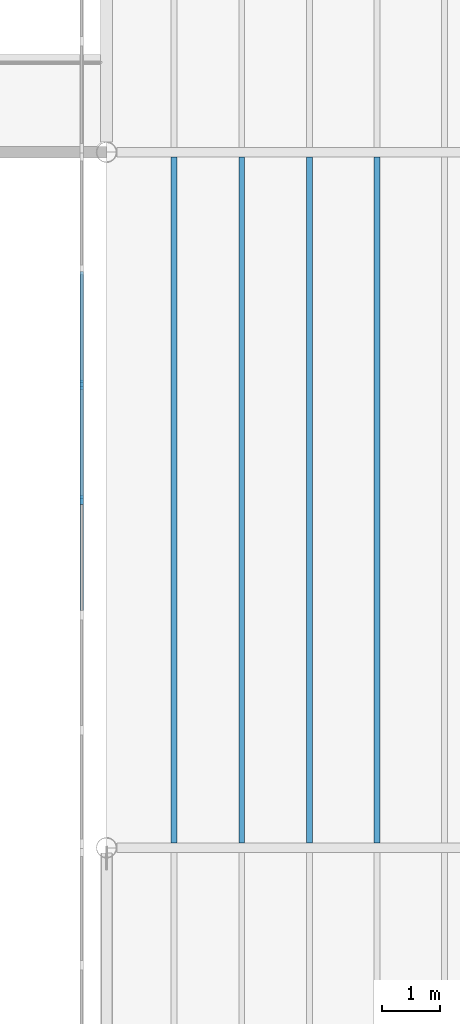
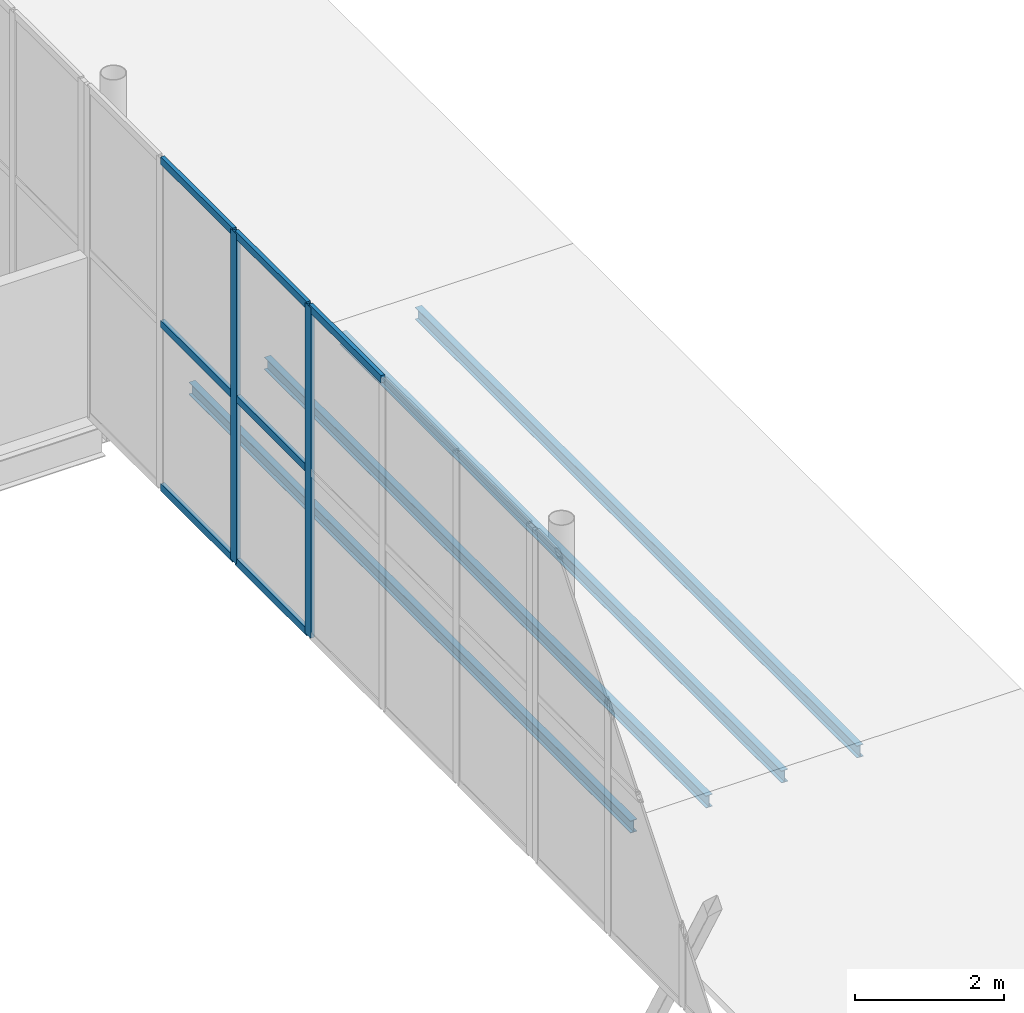
# One storey, part 80 of 170: 13 members, 1 element without a shape of its own.
"""IFC4 building model written with IfcOpenShell, lengths in metres."""

from ifc_helpers import new_model, si_unit, direction, frame, origin, origin_2d, place, context, subcontext, project, spatial, rectangle, i_section, extrude, material, layer, layer_set, material_profile, profile_set, type_object, element, aggregate, save


model = new_model("IFC4")

# Units and contexts
model_context = context("Model", 3, precision=1e-05, world=origin(), true_north=direction((0.0, 1.0)))
body_context = subcontext(model_context, "Body", "Model", "MODEL_VIEW")
ifc_project = project(units=[si_unit("LENGTHUNIT", "METRE"), si_unit("AREAUNIT", "SQUARE_METRE"), si_unit("VOLUMEUNIT", "CUBIC_METRE"), si_unit("PLANEANGLEUNIT", "RADIAN"), si_unit("MASSUNIT", "GRAM", prefix="KILO")], contexts=[model_context])

# Site, building, storey
site_placement = place(None, origin())
site = spatial("IfcSite", under=ifc_project, at=site_placement, CompositionType="ELEMENT")
building_placement = place(site_placement, origin())
building = spatial("IfcBuilding", under=site, at=building_placement, Name="Ravi Spectrum Wholesale Market", CompositionType="ELEMENT")
storey_placement = place(building_placement, frame((0.0, 0.0, 5.39990234375)))
storey = spatial("IfcBuildingStorey", under=building, at=storey_placement, Name="L01", CompositionType="ELEMENT", Elevation=5.39990234375)

# Members
ifc_material_1 = material(Name="Steel S355", Category="steel")
ifc_material_profile_1 = material_profile(ifc_material_1, i_section(OverallWidth=0.10009765625, OverallDepth=0.199951171875, WebThickness=0.005615234375, FlangeThickness=0.008544921875, at=origin_2d()))
ifc_profile_set_1 = profile_set([ifc_material_profile_1], Name="Steel S355")
member_type_1 = type_object("IfcMemberType", Name="IPE 200 purlin", PredefinedType="PURLIN", material=ifc_profile_set_1)
for number, where, z_axis, x_axis, name in (
    (1, (199.166748046875, 162.0849609375, -0.099853515625), (0.0, 1.0, 0.0), (-1.0, 0.0, 0.0), "H3-MB-L01-019"),
    (2, (200.333251953125, 162.0849609375, -0.099853515625), (0.0, 1.0, 0.0), (-1.0, 0.0, 0.0), "H3-MB-L01-020"),
    (3, (201.5, 162.0849609375, -0.099853515625), (0.0, 1.0, 0.0), (-1.0, 0.0, 0.0), "H3-MB-L01-021"),
    (4, (202.666748046875, 162.0849609375, -0.099853515625), (0.0, 1.0, 0.0), (-1.0, 0.0, 0.0), "H3-MB-L01-022"),
):
    element("IfcMember", number, at=place(storey_placement, frame(where, z_axis=z_axis, x_axis=x_axis)), inside=storey, type_object=member_type_1, Name=name, PredefinedType="PURLIN", context=body_context, shape_type="SweptSolid", body=[
        extrude(i_section(OverallWidth=0.10009765625, OverallDepth=0.199951171875, WebThickness=0.005615234375, FlangeThickness=0.008544921875, at=origin_2d()), origin(), (0.0, 0.0, 1.0), 11.830078125),
    ])

# Curtain wall, members
ifc_material_2 = material(Name="Aluminium 6063-T6", Category="aluminium")
ifc_layer = layer(ifc_material_2, 0.14990234375)
ifc_layer_set = layer_set([ifc_layer], Name="Aluminium 6063-T6")
curtain_wall_type = type_object("IfcCurtainWallType", Name="Curtain wall 150", PredefinedType="NOTDEFINED", material=ifc_layer_set)
curtain_wall_placement = place(storey_placement, origin())
curtain_wall = element("IfcCurtainWall", 5, at=curtain_wall_placement, inside=storey, type_object=curtain_wall_type, Name="H3-CW-L01-007", PredefinedType="NOTDEFINED")
ifc_material_3 = material(Name="Aluminium 6063-T6", Category="aluminium")
ifc_material_profile_2 = material_profile(ifc_material_3, rectangle(XDim=0.06005859375, YDim=0.159912109375, at=origin_2d()))
ifc_profile_set_2 = profile_set([ifc_material_profile_2], Name="Aluminium 6063-T6")
member_type_2 = type_object("IfcMemberType", Name="Mullion 60 x 160", PredefinedType="MULLION", material=ifc_profile_set_2)
member_1_placement = place(storey_placement, frame((197.572265625, 168.0, 0.0), z_axis=(0.0, 0.0, 1.0), x_axis=(-1.0, 0.0, 0.0)))
member_1 = element("IfcMember", 6, at=member_1_placement, type_object=member_type_2, Name="H3-CW-L01-007 mullion 4", PredefinedType="MULLION", context=body_context, shape_type="SweptSolid", body=[
    extrude(rectangle(XDim=0.06005859375, YDim=0.159912109375, at=origin_2d()), origin(), (0.0, 0.0, 1.0), 5.400146484375),
])
member_2_placement = place(storey_placement, frame((197.572265625, 169.986572265625, 0.0), z_axis=(0.0, 0.0, 1.0), x_axis=(-1.0, 0.0, 0.0)))
member_2 = element("IfcMember", 7, at=member_2_placement, type_object=member_type_2, Name="H3-CW-L01-007 mullion 5", PredefinedType="MULLION", context=body_context, shape_type="SweptSolid", body=[
    extrude(rectangle(XDim=0.06005859375, YDim=0.159912109375, at=origin_2d()), origin(), (0.0, 0.0, 1.0), 5.400146484375),
])
ifc_material_4 = material(Name="Aluminium 6063-T6", Category="aluminium")
ifc_material_profile_3 = material_profile(ifc_material_4, rectangle(XDim=0.06005859375, YDim=0.1201171875, at=origin_2d()))
ifc_profile_set_3 = profile_set([ifc_material_profile_3], Name="Aluminium 6063-T6")
member_type_3 = type_object("IfcMemberType", Name="Transom 60 x 120", PredefinedType="USERDEFINED", material=ifc_profile_set_3)
member_3_placement = place(storey_placement, frame((197.572265625, 166.043212890625, 5.3701171875), z_axis=(0.0, 1.0, 0.0), x_axis=(-1.0, 0.0, 0.0)))
member_3 = element("IfcMember", 8, at=member_3_placement, type_object=member_type_3, Name="H3-CW-L01-007 transom 3.3", ObjectType="TRANSOM", PredefinedType="USERDEFINED", context=body_context, shape_type="SweptSolid", body=[
    extrude(rectangle(XDim=0.06005859375, YDim=0.1201171875, at=origin_2d()), origin(), (0.0, 0.0, 1.0), 1.9267578125),
])
member_4_placement = place(storey_placement, frame((197.572265625, 168.030029296875, 0.030029296875), z_axis=(0.0, 1.0, 0.0), x_axis=(-1.0, 0.0, 0.0)))
member_4 = element("IfcMember", 9, at=member_4_placement, type_object=member_type_3, Name="H3-CW-L01-007 transom 4.1", ObjectType="TRANSOM", PredefinedType="USERDEFINED", context=body_context, shape_type="SweptSolid", body=[
    extrude(rectangle(XDim=0.06005859375, YDim=0.1201171875, at=origin_2d()), origin(), (0.0, 0.0, 1.0), 1.9267578125),
])
member_5_placement = place(storey_placement, frame((197.572265625, 168.030029296875, 2.7001953125), z_axis=(0.0, 1.0, 0.0), x_axis=(-1.0, 0.0, 0.0)))
member_5 = element("IfcMember", 10, at=member_5_placement, type_object=member_type_3, Name="H3-CW-L01-007 transom 4.2", ObjectType="TRANSOM", PredefinedType="USERDEFINED", context=body_context, shape_type="SweptSolid", body=[
    extrude(rectangle(XDim=0.06005859375, YDim=0.1201171875, at=origin_2d()), origin(), (0.0, 0.0, 1.0), 1.9267578125),
])
member_6_placement = place(storey_placement, frame((197.572265625, 168.030029296875, 5.3701171875), z_axis=(0.0, 1.0, 0.0), x_axis=(-1.0, 0.0, 0.0)))
member_6 = element("IfcMember", 11, at=member_6_placement, type_object=member_type_3, Name="H3-CW-L01-007 transom 4.3", ObjectType="TRANSOM", PredefinedType="USERDEFINED", context=body_context, shape_type="SweptSolid", body=[
    extrude(rectangle(XDim=0.06005859375, YDim=0.1201171875, at=origin_2d()), origin(), (0.0, 0.0, 1.0), 1.9267578125),
])
member_7_placement = place(storey_placement, frame((197.572265625, 170.0166015625, 0.030029296875), z_axis=(0.0, 1.0, 0.0), x_axis=(-1.0, 0.0, 0.0)))
member_7 = element("IfcMember", 12, at=member_7_placement, type_object=member_type_3, Name="H3-CW-L01-007 transom 5.1", ObjectType="TRANSOM", PredefinedType="USERDEFINED", context=body_context, shape_type="SweptSolid", body=[
    extrude(rectangle(XDim=0.06005859375, YDim=0.1201171875, at=origin_2d()), origin(), (0.0, 0.0, 1.0), 1.9267578125),
])
member_8_placement = place(storey_placement, frame((197.572265625, 170.0166015625, 2.7001953125), z_axis=(0.0, 1.0, 0.0), x_axis=(-1.0, 0.0, 0.0)))
member_8 = element("IfcMember", 13, at=member_8_placement, type_object=member_type_3, Name="H3-CW-L01-007 transom 5.2", ObjectType="TRANSOM", PredefinedType="USERDEFINED", context=body_context, shape_type="SweptSolid", body=[
    extrude(rectangle(XDim=0.06005859375, YDim=0.1201171875, at=origin_2d()), origin(), (0.0, 0.0, 1.0), 1.9267578125),
])
member_9_placement = place(storey_placement, frame((197.572265625, 170.0166015625, 5.3701171875), z_axis=(0.0, 1.0, 0.0), x_axis=(-1.0, 0.0, 0.0)))
member_9 = element("IfcMember", 14, at=member_9_placement, type_object=member_type_3, Name="H3-CW-L01-007 transom 5.3", ObjectType="TRANSOM", PredefinedType="USERDEFINED", context=body_context, shape_type="SweptSolid", body=[
    extrude(rectangle(XDim=0.06005859375, YDim=0.1201171875, at=origin_2d()), origin(), (0.0, 0.0, 1.0), 1.9267578125),
])
aggregate(curtain_wall, [member_1, member_2, member_3, member_4, member_5, member_6, member_7, member_8, member_9])

save(model, "model.ifc")
